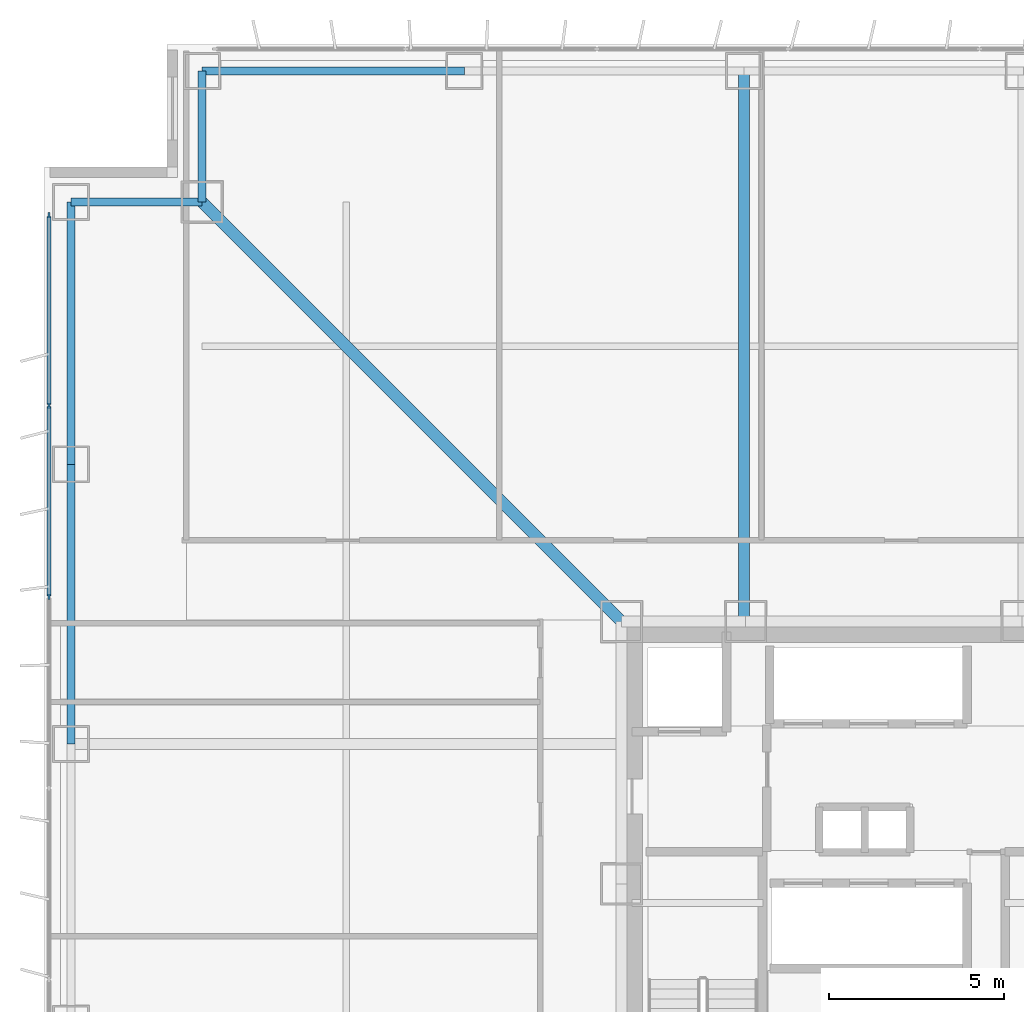
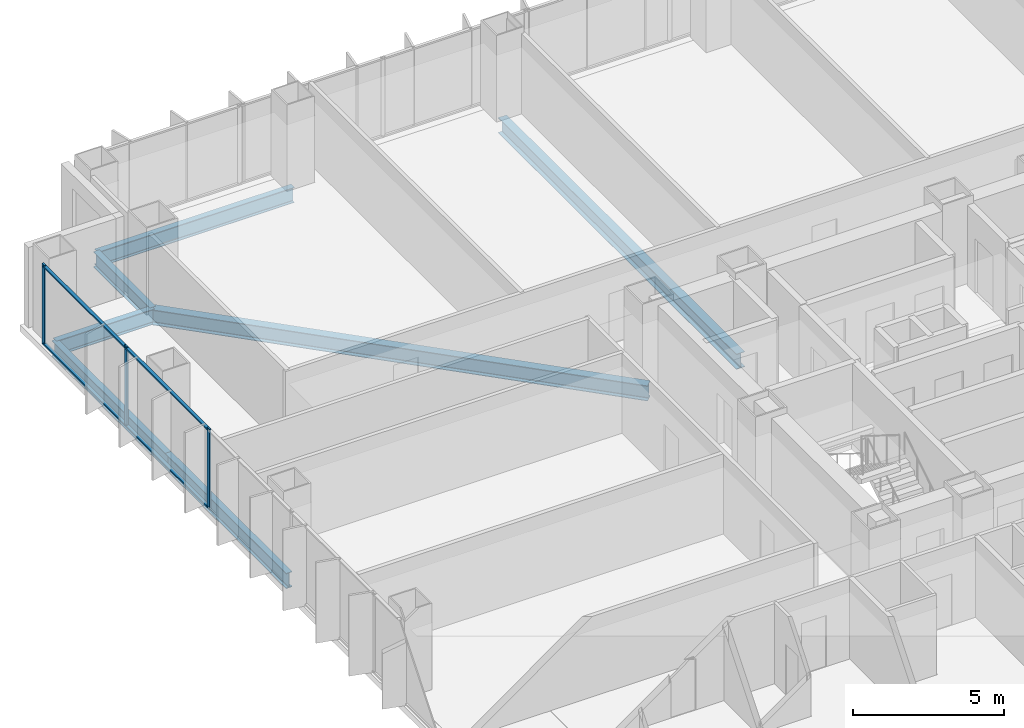
# One storey, part 9 of 19: 7 beams, 7 members, 1 element without a shape of its own.
"""IFC4 building model written with IfcOpenShell, lengths in metres."""

from ifc_helpers import new_model, si_unit, direction, frame, origin, origin_2d, place, context, subcontext, project, spatial, rectangle, i_section, extrude, material, layer, layer_set, material_profile, profile_set, type_object, element, aggregate, save


model = new_model("IFC4")

# Units and contexts
model_context = context("Model", 3, precision=1e-05, world=origin(), true_north=direction((0.0, 1.0)))
body_context = subcontext(model_context, "Body", "Model", "MODEL_VIEW")
ifc_project = project(units=[si_unit("LENGTHUNIT", "METRE"), si_unit("AREAUNIT", "SQUARE_METRE"), si_unit("VOLUMEUNIT", "CUBIC_METRE"), si_unit("PLANEANGLEUNIT", "RADIAN"), si_unit("MASSUNIT", "GRAM", prefix="KILO")], contexts=[model_context])

# Site, building, storey
site_placement = place(None, origin())
site = spatial("IfcSite", under=ifc_project, at=site_placement, CompositionType="ELEMENT")
building_placement = place(site_placement, origin())
building = spatial("IfcBuilding", under=site, at=building_placement, Name="Trevonay Congress Spire", CompositionType="ELEMENT")
storey_placement = place(building_placement, frame((0.0, 0.0, 58.5)))
storey = spatial("IfcBuildingStorey", under=building, at=storey_placement, Name="L14", CompositionType="ELEMENT", Elevation=58.5)

# Beams
ifc_material_1 = material(Name="Steel ASTM A572 Grade 50", Category="steel")
ifc_material_profile_1 = material_profile(ifc_material_1, i_section(OverallWidth=0.324951171875, OverallDepth=0.615966796875, WebThickness=0.013916015625, FlangeThickness=0.021484375, FilletRadius=0.01806640625, at=origin_2d()), Name="W610x174")
ifc_profile_set_1 = profile_set([ifc_material_profile_1], Name="Steel ASTM A572 Grade 50")
beam_type_1 = type_object("IfcBeamType", Name="BM-GIRD-W610X174", PredefinedType="BEAM", material=ifc_profile_set_1)
beam_1_placement = place(storey_placement, frame((-7.5, 7.5, -0.55810546875), z_axis=(-0.707106781187, 0.707106781187, 0.0), x_axis=(-0.707106781187, -0.707106781187, 0.0)))
element("IfcBeam", 1, at=beam_1_placement, inside=storey, type_object=beam_type_1, Name="L14 structural beam BM-L14-CDNW", PredefinedType="BEAM", context=body_context, shape_type="SweptSolid", body=[
    extrude(i_section(OverallWidth=0.324951171875, OverallDepth=0.615966796875, WebThickness=0.013916015625, FlangeThickness=0.021484375, FilletRadius=0.01806640625, at=origin_2d()), origin(), (0.0, 0.0, 1.0), 16.970458984375),
])
beam_2_placement = place(storey_placement, frame((-4.0, 7.5, -0.55810546875), z_axis=(0.0, 1.0, 0.0), x_axis=(-1.0, 0.0, 0.0)))
element("IfcBeam", 2, at=beam_2_placement, inside=storey, type_object=beam_type_1, Name="L14 structural beam BM-L14-GN-M", PredefinedType="BEAM", context=body_context, shape_type="SweptSolid", body=[
    extrude(i_section(OverallWidth=0.324951171875, OverallDepth=0.615966796875, WebThickness=0.013916015625, FlangeThickness=0.021484375, FilletRadius=0.01806640625, at=origin_2d()), origin(), (0.0, 0.0, 1.0), 15.75),
])
ifc_material_profile_2 = material_profile(ifc_material_1, i_section(OverallWidth=0.22998046875, OverallDepth=0.616943359375, WebThickness=0.01318359375, FlangeThickness=0.022216796875, FilletRadius=0.01611328125, at=origin_2d()), Name="W610x140")
ifc_profile_set_2 = profile_set([ifc_material_profile_2], Name="Steel ASTM A572 Grade 50")
beam_type_2 = type_object("IfcBeamType", Name="BM-RING-W610X140", PredefinedType="BEAM", material=ifc_profile_set_2)
beam_3_placement = place(storey_placement, frame((-19.5, 23.25, -0.55859375), z_axis=(1.0, 0.0, 0.0), x_axis=(0.0, 1.0, 0.0)))
element("IfcBeam", 3, at=beam_3_placement, inside=storey, type_object=beam_type_2, Name="L14 structural beam BM-L14-PN1", PredefinedType="BEAM", context=body_context, shape_type="SweptSolid", body=[
    extrude(i_section(OverallWidth=0.22998046875, OverallDepth=0.616943359375, WebThickness=0.01318359375, FlangeThickness=0.022216796875, FilletRadius=0.01611328125, at=origin_2d()), origin(), (0.0, 0.0, 1.0), 7.5),
])
beam_4_placement = place(storey_placement, frame((-23.25, 4.0, -0.55859375), z_axis=(0.0, 1.0, 0.0), x_axis=(-1.0, 0.0, 0.0)))
element("IfcBeam", 4, at=beam_4_placement, inside=storey, type_object=beam_type_2, Name="L14 structural beam BM-L14-PW4", PredefinedType="BEAM", context=body_context, shape_type="SweptSolid", body=[
    extrude(i_section(OverallWidth=0.22998046875, OverallDepth=0.616943359375, WebThickness=0.01318359375, FlangeThickness=0.022216796875, FilletRadius=0.01611328125, at=origin_2d()), origin(), (0.0, 0.0, 1.0), 8.0),
])
beam_5_placement = place(storey_placement, frame((-23.25, 12.0, -0.55859375), z_axis=(0.0, 1.0, 0.0), x_axis=(-1.0, 0.0, 0.0)))
element("IfcBeam", 5, at=beam_5_placement, inside=storey, type_object=beam_type_2, Name="L14 structural beam BM-L14-PW5", PredefinedType="BEAM", context=body_context, shape_type="SweptSolid", body=[
    extrude(i_section(OverallWidth=0.22998046875, OverallDepth=0.616943359375, WebThickness=0.01318359375, FlangeThickness=0.022216796875, FilletRadius=0.01611328125, at=origin_2d()), origin(), (0.0, 0.0, 1.0), 7.5),
])
for number, where, z_axis, x_axis, name in (
    (6, (-19.5, 23.25, -0.55859375), (0.0, -1.0, 0.0), (1.0, 0.0, 0.0), "L14 structural beam BM-L14-N1NW"),
    (7, (-23.25, 19.5, -0.55859375), (1.0, 0.0, 0.0), (0.0, 1.0, 0.0), "L14 structural beam BM-L14-N2NW"),
):
    element("IfcBeam", number, at=place(storey_placement, frame(where, z_axis=z_axis, x_axis=x_axis)), inside=storey, type_object=beam_type_2, Name=name, PredefinedType="BEAM", context=body_context, shape_type="SweptSolid", body=[
        extrude(i_section(OverallWidth=0.22998046875, OverallDepth=0.616943359375, WebThickness=0.01318359375, FlangeThickness=0.022216796875, FilletRadius=0.01611328125, at=origin_2d()), origin(), (0.0, 0.0, 1.0), 3.75),
    ])

# Curtain wall, members
ifc_material_2 = material(Name="Pale Anodised Aluminium EN AW-6063-T6", Category="aluminium")
ifc_layer = layer(ifc_material_2, 0.179931640625, Name="Pale Anodised Aluminium EN AW-6063-T6")
ifc_layer_set = layer_set([ifc_layer], Name="Pale Anodised Aluminium EN AW-6063-T6")
curtain_wall_type = type_object("IfcCurtainWallType", Name="CW-SYS02-HOTEL-PALE-METAL", PredefinedType="NOTDEFINED", material=ifc_layer_set)
curtain_wall_placement = place(storey_placement, origin())
curtain_wall = element("IfcCurtainWall", 8, at=curtain_wall_placement, inside=storey, type_object=curtain_wall_type, Name="L14 W unitised curtain wall", PredefinedType="NOTDEFINED")
ifc_material_profile_3 = material_profile(ifc_material_2, rectangle(XDim=0.06005859375, YDim=0.159912109375, at=origin_2d()), Name="CW-MULLION-160-ALUMINIUM")
ifc_profile_set_3 = profile_set([ifc_material_profile_3], Name="Pale Anodised Aluminium EN AW-6063-T6")
member_type_1 = type_object("IfcMemberType", Name="CW-MULLION-160-ALUMINIUM", PredefinedType="MULLION", material=ifc_profile_set_3)
member_1_placement = place(storey_placement, frame((-23.8798828125, 8.20703125, 0.0), z_axis=(0.0, 0.0, 1.0), x_axis=(-1.0, 0.0, 0.0)))
member_1 = element("IfcMember", 9, at=member_1_placement, type_object=member_type_1, Name="CW02 mullion 6", PredefinedType="MULLION", context=body_context, shape_type="SweptSolid", body=[
    extrude(rectangle(XDim=0.06005859375, YDim=0.159912109375, at=origin_2d()), origin(), (0.0, 0.0, 1.0), 3.25),
])
member_2_placement = place(storey_placement, frame((-23.8798828125, 13.678466796875, 0.0), z_axis=(0.0, 0.0, 1.0), x_axis=(-1.0, 0.0, 0.0)))
member_2 = element("IfcMember", 10, at=member_2_placement, type_object=member_type_1, Name="CW02 mullion 7", PredefinedType="MULLION", context=body_context, shape_type="SweptSolid", body=[
    extrude(rectangle(XDim=0.06005859375, YDim=0.159912109375, at=origin_2d()), origin(), (0.0, 0.0, 1.0), 3.25),
])
member_3_placement = place(storey_placement, frame((-23.8798828125, 19.1201171875, 0.0), z_axis=(0.0, 0.0, 1.0), x_axis=(-1.0, 0.0, 0.0)))
member_3 = element("IfcMember", 11, at=member_3_placement, type_object=member_type_1, Name="CW02 mullion 8", PredefinedType="MULLION", context=body_context, shape_type="SweptSolid", body=[
    extrude(rectangle(XDim=0.06005859375, YDim=0.159912109375, at=origin_2d()), origin(), (0.0, 0.0, 1.0), 3.25),
])
ifc_material_profile_4 = material_profile(ifc_material_2, rectangle(XDim=0.1201171875, YDim=0.06005859375, at=origin_2d()), Name="CW-TRANSOM-120-ALUMINIUM")
ifc_profile_set_4 = profile_set([ifc_material_profile_4], Name="Pale Anodised Aluminium EN AW-6063-T6")
member_type_2 = type_object("IfcMemberType", Name="CW-TRANSOM-120-ALUMINIUM", PredefinedType="USERDEFINED", material=ifc_profile_set_4)
member_4_placement = place(storey_placement, frame((-23.8798828125, 8.237060546875, 0.06005859375), z_axis=(0.0, 1.0, 0.0), x_axis=(-1.0, 0.0, 0.0)))
member_4 = element("IfcMember", 12, at=member_4_placement, type_object=member_type_2, Name="CW02 transom 6.1", ObjectType="TRANSOM", PredefinedType="USERDEFINED", context=body_context, shape_type="SweptSolid", body=[
    extrude(rectangle(XDim=0.1201171875, YDim=0.06005859375, at=origin_2d()), origin(), (0.0, 0.0, 1.0), 5.41162109375),
])
member_5_placement = place(storey_placement, frame((-23.8798828125, 8.237060546875, 3.18994140625), z_axis=(0.0, 1.0, 0.0), x_axis=(-1.0, 0.0, 0.0)))
member_5 = element("IfcMember", 13, at=member_5_placement, type_object=member_type_2, Name="CW02 transom 6.2", ObjectType="TRANSOM", PredefinedType="USERDEFINED", context=body_context, shape_type="SweptSolid", body=[
    extrude(rectangle(XDim=0.1201171875, YDim=0.06005859375, at=origin_2d()), origin(), (0.0, 0.0, 1.0), 5.41162109375),
])
member_6_placement = place(storey_placement, frame((-23.8798828125, 13.70849609375, 0.06005859375), z_axis=(0.0, 1.0, 0.0), x_axis=(-1.0, 0.0, 0.0)))
member_6 = element("IfcMember", 14, at=member_6_placement, type_object=member_type_2, Name="CW02 transom 7.1", ObjectType="TRANSOM", PredefinedType="USERDEFINED", context=body_context, shape_type="SweptSolid", body=[
    extrude(rectangle(XDim=0.1201171875, YDim=0.06005859375, at=origin_2d()), origin(), (0.0, 0.0, 1.0), 5.381591796875),
])
member_7_placement = place(storey_placement, frame((-23.8798828125, 13.70849609375, 3.18994140625), z_axis=(0.0, 1.0, 0.0), x_axis=(-1.0, 0.0, 0.0)))
member_7 = element("IfcMember", 15, at=member_7_placement, type_object=member_type_2, Name="CW02 transom 7.2", ObjectType="TRANSOM", PredefinedType="USERDEFINED", context=body_context, shape_type="SweptSolid", body=[
    extrude(rectangle(XDim=0.1201171875, YDim=0.06005859375, at=origin_2d()), origin(), (0.0, 0.0, 1.0), 5.381591796875),
])
aggregate(curtain_wall, [member_1, member_2, member_3, member_4, member_5, member_6, member_7])

save(model, "model.ifc")
